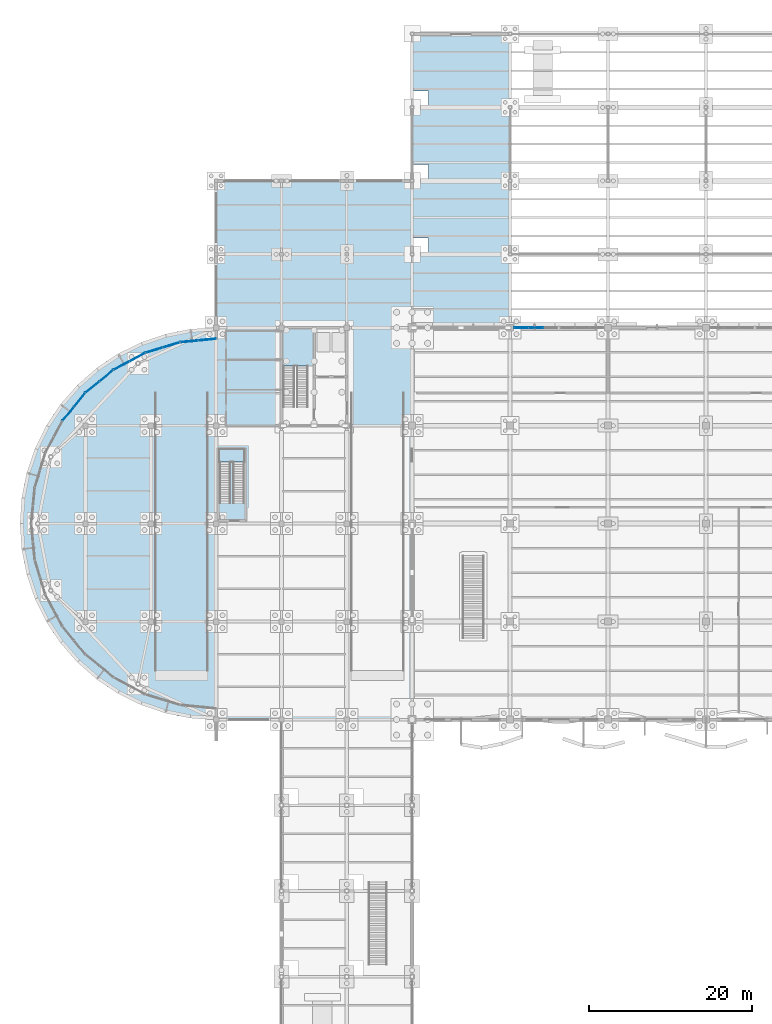
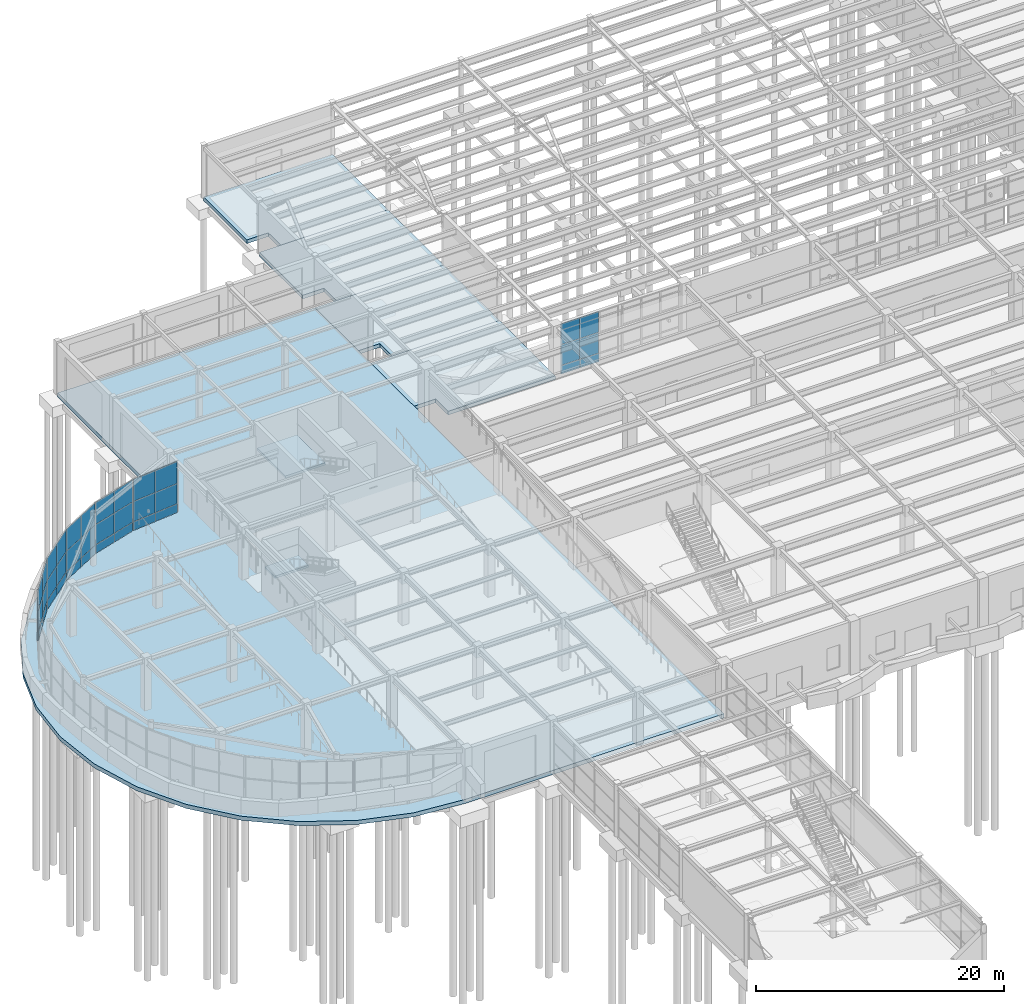
# One storey, part 53 of 85: 36 plates, 7 slabs, 8 elements without a shape of their own.
"""IFC4 building model written with IfcOpenShell, lengths in metres."""

from ifc_helpers import new_model, si_unit, direction, frame, origin, origin_2d, place, context, subcontext, project, spatial, polyline, rectangle, outline, extrude, material, layer, layer_set, type_object, element, aggregate, save


model = new_model("IFC4")

# Units and contexts
model_context = context("Model", 3, precision=1e-05, world=origin(), true_north=direction((0.0, 1.0)))
body_context = subcontext(model_context, "Body", "Model", "MODEL_VIEW")
ifc_project = project(units=[si_unit("LENGTHUNIT", "METRE"), si_unit("AREAUNIT", "SQUARE_METRE"), si_unit("VOLUMEUNIT", "CUBIC_METRE"), si_unit("PLANEANGLEUNIT", "RADIAN"), si_unit("MASSUNIT", "GRAM", prefix="KILO")], contexts=[model_context])

# Site, building, storey
site_placement = place(None, origin())
site = spatial("IfcSite", under=ifc_project, at=site_placement, CompositionType="ELEMENT")
building_placement = place(site_placement, origin())
building = spatial("IfcBuilding", under=site, at=building_placement, Name="Keelwater Ferry Terminal", CompositionType="ELEMENT")
storey_placement = place(building_placement, origin())
storey = spatial("IfcBuildingStorey", under=building, at=storey_placement, Name="L00", CompositionType="ELEMENT", Elevation=0.0)

# Curtain wall, plates
ifc_material_1 = material(Name="Thermally broken unitised aluminium and triple glass", Category="aluminium")
ifc_layer_1 = layer(ifc_material_1, 0.179931640625)
ifc_layer_set_1 = layer_set([ifc_layer_1], Name="Thermally broken unitised aluminium and triple glass")
curtain_wall_type_1 = type_object("IfcCurtainWallType", Name="CW-05 Unitised Curtain Wall 5305x4950", PredefinedType="USERDEFINED", material=ifc_layer_set_1)
curtain_wall_1_placement = place(storey_placement, origin())
curtain_wall_1 = element("IfcCurtainWall", 1, at=curtain_wall_1_placement, inside=storey, type_object=curtain_wall_type_1, Name="Unitised Curtain Wall CW-L00-025", ObjectType="UNITISED CURTAIN WALL", PredefinedType="USERDEFINED")
ifc_material_2 = material(Name="Insulated aluminium spandrel", Category="aluminium")
ifc_layer_2 = layer(ifc_material_2, 0.080078125)
ifc_layer_set_2 = layer_set([ifc_layer_2], Name="Insulated aluminium spandrel")
plate_type_1 = type_object("IfcPlateType", Name="CWP-S1 Insulated Spandrel Panel 80", PredefinedType="CURTAIN_PANEL", material=ifc_layer_set_2)
plate_1_placement = place(storey_placement, frame((61.38427734375, 90.0, 0.0), z_axis=(0.0, 0.0, 1.0), x_axis=(1.0, 0.0, 0.0)))
plate_1 = element("IfcPlate", 2, at=plate_1_placement, type_object=plate_type_1, Name="CW-L00-025 Panel 1.1", PredefinedType="CURTAIN_PANEL", context=body_context, shape_type="SweptSolid", body=[
    extrude(rectangle(XDim=1.768310546875, YDim=0.080078125, at=origin_2d()), origin(), (0.0, 0.0, 1.0), 0.85009765625),
])
plate_2_placement = place(storey_placement, frame((63.152587890625, 90.0, 0.0), z_axis=(0.0, 0.0, 1.0), x_axis=(1.0, 0.0, 0.0)))
plate_2 = element("IfcPlate", 3, at=plate_2_placement, type_object=plate_type_1, Name="CW-L00-025 Panel 2.1", PredefinedType="CURTAIN_PANEL", context=body_context, shape_type="SweptSolid", body=[
    extrude(rectangle(XDim=1.768310546875, YDim=0.080078125, at=origin_2d()), origin(), (0.0, 0.0, 1.0), 0.85009765625),
])

ifc_material_3 = material(Name="Thermally broken unitised aluminium and triple glass", Category="aluminium")
ifc_layer_3 = layer(ifc_material_3, 0.179931640625)
ifc_layer_set_3 = layer_set([ifc_layer_3], Name="Thermally broken unitised aluminium and triple glass")
curtain_wall_type_2 = type_object("IfcCurtainWallType", Name="CW-16 Unitised Curtain Wall 4350x5020", PredefinedType="USERDEFINED", material=ifc_layer_set_3)
curtain_wall_2_placement = place(storey_placement, origin())
curtain_wall_2 = element("IfcCurtainWall", 4, at=curtain_wall_2_placement, inside=storey, type_object=curtain_wall_type_2, Name="Unitised Curtain Wall CW-L00-077", ObjectType="UNITISED CURTAIN WALL", PredefinedType="USERDEFINED")
ifc_material_4 = material(Name="Insulated white cassette spandrel", Category="aluminium")
ifc_layer_4 = layer(ifc_material_4, 0.094970703125)
ifc_layer_set_4 = layer_set([ifc_layer_4], Name="Insulated white cassette spandrel")
plate_type_2 = type_object("IfcPlateType", Name="CWP-S2 Insulated Spandrel Panel 95", PredefinedType="CURTAIN_PANEL", material=ifc_layer_set_4)
plate_3_placement = place(storey_placement, frame((22.872802734375, 88.539306640625, 0.0), z_axis=(0.0, 0.0, 1.0), x_axis=(-0.995170573079, -0.098160737969, 0.0)))
plate_3 = element("IfcPlate", 5, at=plate_3_placement, type_object=plate_type_2, Name="CW-L00-077 Panel 1.1", PredefinedType="CURTAIN_PANEL", context=body_context, shape_type="SweptSolid", body=[
    extrude(rectangle(XDim=2.175048828125, YDim=0.094970703125, at=origin_2d()), origin(), (0.0, 0.0, 1.0), 0.85009765625),
])
plate_4_placement = place(storey_placement, frame((20.708251953125, 88.32568359375, 0.0), z_axis=(0.0, 0.0, 1.0), x_axis=(-0.995170573079, -0.098160737969, 0.0)))
plate_4 = element("IfcPlate", 6, at=plate_4_placement, type_object=plate_type_2, Name="CW-L00-077 Panel 2.1", PredefinedType="CURTAIN_PANEL", context=body_context, shape_type="SweptSolid", body=[
    extrude(rectangle(XDim=2.175048828125, YDim=0.094970703125, at=origin_2d()), origin(), (0.0, 0.0, 1.0), 0.85009765625),
])

curtain_wall_3_placement = place(storey_placement, origin())
curtain_wall_3 = element("IfcCurtainWall", 7, at=curtain_wall_3_placement, inside=storey, type_object=curtain_wall_type_2, Name="Unitised Curtain Wall CW-L00-078", ObjectType="UNITISED CURTAIN WALL", PredefinedType="USERDEFINED")
plate_5_placement = place(storey_placement, frame((18.497314453125, 87.88623046875, 0.0), z_axis=(0.0, 0.0, 1.0), x_axis=(-0.956929623319, -0.290319989003, 0.0)))
plate_5 = element("IfcPlate", 8, at=plate_5_placement, type_object=plate_type_2, Name="CW-L00-078 Panel 1.1", PredefinedType="CURTAIN_PANEL", context=body_context, shape_type="SweptSolid", body=[
    extrude(rectangle(XDim=2.17529296875, YDim=0.094970703125, at=origin_2d()), origin(), (0.0, 0.0, 1.0), 0.85009765625),
])
plate_6_placement = place(storey_placement, frame((16.415771484375, 87.254638671875, 0.0), z_axis=(0.0, 0.0, 1.0), x_axis=(-0.956929623319, -0.290319989003, 0.0)))
plate_6 = element("IfcPlate", 9, at=plate_6_placement, type_object=plate_type_2, Name="CW-L00-078 Panel 2.1", PredefinedType="CURTAIN_PANEL", context=body_context, shape_type="SweptSolid", body=[
    extrude(rectangle(XDim=2.17529296875, YDim=0.094970703125, at=origin_2d()), origin(), (0.0, 0.0, 1.0), 0.85009765625),
])

curtain_wall_4_placement = place(storey_placement, origin())
curtain_wall_4 = element("IfcCurtainWall", 10, at=curtain_wall_4_placement, inside=storey, type_object=curtain_wall_type_2, Name="Unitised Curtain Wall CW-L00-079", ObjectType="UNITISED CURTAIN WALL", PredefinedType="USERDEFINED")
plate_7_placement = place(storey_placement, frame((14.3330078125, 86.392333984375, 0.0), z_axis=(0.0, 0.0, 1.0), x_axis=(-0.881862452632, -0.471506749303, 0.0)))
plate_7 = element("IfcPlate", 11, at=plate_7_placement, type_object=plate_type_2, Name="CW-L00-079 Panel 1.1", PredefinedType="CURTAIN_PANEL", context=body_context, shape_type="SweptSolid", body=[
    extrude(rectangle(XDim=2.175048828125, YDim=0.094970703125, at=origin_2d()), origin(), (0.0, 0.0, 1.0), 0.85009765625),
])
plate_8_placement = place(storey_placement, frame((12.4150390625, 85.36669921875, 0.0), z_axis=(0.0, 0.0, 1.0), x_axis=(-0.881862452632, -0.471506749303, 0.0)))
plate_8 = element("IfcPlate", 12, at=plate_8_placement, type_object=plate_type_2, Name="CW-L00-079 Panel 2.1", PredefinedType="CURTAIN_PANEL", context=body_context, shape_type="SweptSolid", body=[
    extrude(rectangle(XDim=2.175048828125, YDim=0.094970703125, at=origin_2d()), origin(), (0.0, 0.0, 1.0), 0.85009765625),
])

curtain_wall_5_placement = place(storey_placement, origin())
curtain_wall_5 = element("IfcCurtainWall", 13, at=curtain_wall_5_placement, inside=storey, type_object=curtain_wall_type_2, Name="Unitised Curtain Wall CW-L00-080", ObjectType="UNITISED CURTAIN WALL", PredefinedType="USERDEFINED")
plate_9_placement = place(storey_placement, frame((10.54052734375, 84.1142578125, 0.0), z_axis=(0.0, 0.0, 1.0), x_axis=(-0.773024220086, -0.634376508991, 0.0)))
plate_9 = element("IfcPlate", 14, at=plate_9_placement, type_object=plate_type_2, Name="CW-L00-080 Panel 1.1", PredefinedType="CURTAIN_PANEL", context=body_context, shape_type="SweptSolid", body=[
    extrude(rectangle(XDim=2.174560546875, YDim=0.094970703125, at=origin_2d()), origin(), (0.0, 0.0, 1.0), 0.85009765625),
])
plate_10_placement = place(storey_placement, frame((8.859619140625, 82.73486328125, 0.0), z_axis=(0.0, 0.0, 1.0), x_axis=(-0.773024220086, -0.634376508991, 0.0)))
plate_10 = element("IfcPlate", 15, at=plate_10_placement, type_object=plate_type_2, Name="CW-L00-080 Panel 2.1", PredefinedType="CURTAIN_PANEL", context=body_context, shape_type="SweptSolid", body=[
    extrude(rectangle(XDim=2.174560546875, YDim=0.094970703125, at=origin_2d()), origin(), (0.0, 0.0, 1.0), 0.85009765625),
])

curtain_wall_6_placement = place(storey_placement, origin())
curtain_wall_6 = element("IfcCurtainWall", 16, at=curtain_wall_6_placement, inside=storey, type_object=curtain_wall_type_2, Name="Unitised Curtain Wall CW-L00-081", ObjectType="UNITISED CURTAIN WALL", PredefinedType="USERDEFINED")
plate_11_placement = place(storey_placement, frame((7.26513671875, 81.140380859375, 0.0), z_axis=(0.0, 0.0, 1.0), x_axis=(-0.634376508991, -0.773024220086, 0.0)))
plate_11 = element("IfcPlate", 17, at=plate_11_placement, type_object=plate_type_2, Name="CW-L00-081 Panel 1.1", PredefinedType="CURTAIN_PANEL", context=body_context, shape_type="SweptSolid", body=[
    extrude(rectangle(XDim=2.174560546875, YDim=0.094970703125, at=origin_2d()), origin(), (0.0, 0.0, 1.0), 0.85009765625),
])
plate_12_placement = place(storey_placement, frame((5.8857421875, 79.45947265625, 0.0), z_axis=(0.0, 0.0, 1.0), x_axis=(-0.634376508991, -0.773024220086, 0.0)))
plate_12 = element("IfcPlate", 18, at=plate_12_placement, type_object=plate_type_2, Name="CW-L00-081 Panel 2.1", PredefinedType="CURTAIN_PANEL", context=body_context, shape_type="SweptSolid", body=[
    extrude(rectangle(XDim=2.174560546875, YDim=0.094970703125, at=origin_2d()), origin(), (0.0, 0.0, 1.0), 0.85009765625),
])

# Plate
ifc_material_5 = material(Name="Triple low-E laminated glass", Category="glass")
ifc_layer_5 = layer(ifc_material_5, 0.035888671875)
ifc_layer_set_5 = layer_set([ifc_layer_5], Name="Triple low-E laminated glass")
plate_type_3 = type_object("IfcPlateType", Name="CWP-V1 Glazed Vision Panel 36", PredefinedType="CURTAIN_PANEL", material=ifc_layer_set_5)
plate_13_placement = place(storey_placement, frame((61.38427734375, 90.0, 0.85009765625), z_axis=(0.0, 0.0, 1.0), x_axis=(1.0, 0.0, 0.0)))
plate_13 = element("IfcPlate", 19, at=plate_13_placement, type_object=plate_type_3, Name="CW-L00-025 Panel 1.2", PredefinedType="CURTAIN_PANEL", context=body_context, shape_type="SweptSolid", body=[
    extrude(rectangle(XDim=1.768310546875, YDim=0.035888671875, at=origin_2d()), origin(), (0.0, 0.0, 1.0), 2.050048828125),
])

plate_14_placement = place(storey_placement, frame((61.38427734375, 90.0, 2.89990234375), z_axis=(0.0, 0.0, 1.0), x_axis=(1.0, 0.0, 0.0)))
plate_14 = element("IfcPlate", 20, at=plate_14_placement, type_object=plate_type_3, Name="CW-L00-025 Panel 1.3", PredefinedType="CURTAIN_PANEL", context=body_context, shape_type="SweptSolid", body=[
    extrude(rectangle(XDim=1.768310546875, YDim=0.035888671875, at=origin_2d()), origin(), (0.0, 0.0, 1.0), 2.050048828125),
])

plate_15_placement = place(storey_placement, frame((63.152587890625, 90.0, 0.85009765625), z_axis=(0.0, 0.0, 1.0), x_axis=(1.0, 0.0, 0.0)))
plate_15 = element("IfcPlate", 21, at=plate_15_placement, type_object=plate_type_3, Name="CW-L00-025 Panel 2.2", PredefinedType="CURTAIN_PANEL", context=body_context, shape_type="SweptSolid", body=[
    extrude(rectangle(XDim=1.768310546875, YDim=0.035888671875, at=origin_2d()), origin(), (0.0, 0.0, 1.0), 2.050048828125),
])

plate_16_placement = place(storey_placement, frame((63.152587890625, 90.0, 2.89990234375), z_axis=(0.0, 0.0, 1.0), x_axis=(1.0, 0.0, 0.0)))
plate_16 = element("IfcPlate", 22, at=plate_16_placement, type_object=plate_type_3, Name="CW-L00-025 Panel 2.3", PredefinedType="CURTAIN_PANEL", context=body_context, shape_type="SweptSolid", body=[
    extrude(rectangle(XDim=1.768310546875, YDim=0.035888671875, at=origin_2d()), origin(), (0.0, 0.0, 1.0), 2.050048828125),
])

aggregate(curtain_wall_1, [plate_1, plate_13, plate_14, plate_2, plate_15, plate_16])

plate_17_placement = place(storey_placement, frame((22.872802734375, 88.539306640625, 0.85009765625), z_axis=(0.0, 0.0, 1.0), x_axis=(-0.995170573079, -0.098160737969, 0.0)))
plate_17 = element("IfcPlate", 23, at=plate_17_placement, type_object=plate_type_3, Name="CW-L00-077 Panel 1.2", PredefinedType="CURTAIN_PANEL", context=body_context, shape_type="SweptSolid", body=[
    extrude(rectangle(XDim=2.175048828125, YDim=0.035888671875, at=origin_2d()), origin(), (0.0, 0.0, 1.0), 2.0),
])

plate_18_placement = place(storey_placement, frame((22.872802734375, 88.539306640625, 2.85009765625), z_axis=(0.0, 0.0, 1.0), x_axis=(-0.995170573079, -0.098160737969, 0.0)))
plate_18 = element("IfcPlate", 24, at=plate_18_placement, type_object=plate_type_3, Name="CW-L00-077 Panel 1.3", PredefinedType="CURTAIN_PANEL", context=body_context, shape_type="SweptSolid", body=[
    extrude(rectangle(XDim=2.175048828125, YDim=0.035888671875, at=origin_2d()), origin(), (0.0, 0.0, 1.0), 2.169921875),
])

plate_19_placement = place(storey_placement, frame((20.708251953125, 88.32568359375, 0.85009765625), z_axis=(0.0, 0.0, 1.0), x_axis=(-0.995170573079, -0.098160737969, 0.0)))
plate_19 = element("IfcPlate", 25, at=plate_19_placement, type_object=plate_type_3, Name="CW-L00-077 Panel 2.2", PredefinedType="CURTAIN_PANEL", context=body_context, shape_type="SweptSolid", body=[
    extrude(rectangle(XDim=2.175048828125, YDim=0.035888671875, at=origin_2d()), origin(), (0.0, 0.0, 1.0), 2.0),
])

plate_20_placement = place(storey_placement, frame((20.708251953125, 88.32568359375, 2.85009765625), z_axis=(0.0, 0.0, 1.0), x_axis=(-0.995170573079, -0.098160737969, 0.0)))
plate_20 = element("IfcPlate", 26, at=plate_20_placement, type_object=plate_type_3, Name="CW-L00-077 Panel 2.3", PredefinedType="CURTAIN_PANEL", context=body_context, shape_type="SweptSolid", body=[
    extrude(rectangle(XDim=2.175048828125, YDim=0.035888671875, at=origin_2d()), origin(), (0.0, 0.0, 1.0), 2.169921875),
])

aggregate(curtain_wall_2, [plate_3, plate_17, plate_18, plate_4, plate_19, plate_20])

plate_21_placement = place(storey_placement, frame((18.497314453125, 87.88623046875, 0.85009765625), z_axis=(0.0, 0.0, 1.0), x_axis=(-0.956929623319, -0.290319989003, 0.0)))
plate_21 = element("IfcPlate", 27, at=plate_21_placement, type_object=plate_type_3, Name="CW-L00-078 Panel 1.2", PredefinedType="CURTAIN_PANEL", context=body_context, shape_type="SweptSolid", body=[
    extrude(rectangle(XDim=2.17529296875, YDim=0.035888671875, at=origin_2d()), origin(), (0.0, 0.0, 1.0), 2.0),
])

plate_22_placement = place(storey_placement, frame((18.497314453125, 87.88623046875, 2.85009765625), z_axis=(0.0, 0.0, 1.0), x_axis=(-0.956929623319, -0.290319989003, 0.0)))
plate_22 = element("IfcPlate", 28, at=plate_22_placement, type_object=plate_type_3, Name="CW-L00-078 Panel 1.3", PredefinedType="CURTAIN_PANEL", context=body_context, shape_type="SweptSolid", body=[
    extrude(rectangle(XDim=2.17529296875, YDim=0.035888671875, at=origin_2d()), origin(), (0.0, 0.0, 1.0), 2.169921875),
])

plate_23_placement = place(storey_placement, frame((16.415771484375, 87.254638671875, 0.85009765625), z_axis=(0.0, 0.0, 1.0), x_axis=(-0.956929623319, -0.290319989003, 0.0)))
plate_23 = element("IfcPlate", 29, at=plate_23_placement, type_object=plate_type_3, Name="CW-L00-078 Panel 2.2", PredefinedType="CURTAIN_PANEL", context=body_context, shape_type="SweptSolid", body=[
    extrude(rectangle(XDim=2.17529296875, YDim=0.035888671875, at=origin_2d()), origin(), (0.0, 0.0, 1.0), 2.0),
])

plate_24_placement = place(storey_placement, frame((16.415771484375, 87.254638671875, 2.85009765625), z_axis=(0.0, 0.0, 1.0), x_axis=(-0.956929623319, -0.290319989003, 0.0)))
plate_24 = element("IfcPlate", 30, at=plate_24_placement, type_object=plate_type_3, Name="CW-L00-078 Panel 2.3", PredefinedType="CURTAIN_PANEL", context=body_context, shape_type="SweptSolid", body=[
    extrude(rectangle(XDim=2.17529296875, YDim=0.035888671875, at=origin_2d()), origin(), (0.0, 0.0, 1.0), 2.169921875),
])

aggregate(curtain_wall_3, [plate_5, plate_21, plate_22, plate_6, plate_23, plate_24])

plate_25_placement = place(storey_placement, frame((14.3330078125, 86.392333984375, 0.85009765625), z_axis=(0.0, 0.0, 1.0), x_axis=(-0.881862452632, -0.471506749303, 0.0)))
plate_25 = element("IfcPlate", 31, at=plate_25_placement, type_object=plate_type_3, Name="CW-L00-079 Panel 1.2", PredefinedType="CURTAIN_PANEL", context=body_context, shape_type="SweptSolid", body=[
    extrude(rectangle(XDim=2.175048828125, YDim=0.035888671875, at=origin_2d()), origin(), (0.0, 0.0, 1.0), 2.0),
])

plate_26_placement = place(storey_placement, frame((14.3330078125, 86.392333984375, 2.85009765625), z_axis=(0.0, 0.0, 1.0), x_axis=(-0.881862452632, -0.471506749303, 0.0)))
plate_26 = element("IfcPlate", 32, at=plate_26_placement, type_object=plate_type_3, Name="CW-L00-079 Panel 1.3", PredefinedType="CURTAIN_PANEL", context=body_context, shape_type="SweptSolid", body=[
    extrude(rectangle(XDim=2.175048828125, YDim=0.035888671875, at=origin_2d()), origin(), (0.0, 0.0, 1.0), 2.169921875),
])

plate_27_placement = place(storey_placement, frame((12.4150390625, 85.36669921875, 0.85009765625), z_axis=(0.0, 0.0, 1.0), x_axis=(-0.881862452632, -0.471506749303, 0.0)))
plate_27 = element("IfcPlate", 33, at=plate_27_placement, type_object=plate_type_3, Name="CW-L00-079 Panel 2.2", PredefinedType="CURTAIN_PANEL", context=body_context, shape_type="SweptSolid", body=[
    extrude(rectangle(XDim=2.175048828125, YDim=0.035888671875, at=origin_2d()), origin(), (0.0, 0.0, 1.0), 2.0),
])

plate_28_placement = place(storey_placement, frame((12.4150390625, 85.36669921875, 2.85009765625), z_axis=(0.0, 0.0, 1.0), x_axis=(-0.881862452632, -0.471506749303, 0.0)))
plate_28 = element("IfcPlate", 34, at=plate_28_placement, type_object=plate_type_3, Name="CW-L00-079 Panel 2.3", PredefinedType="CURTAIN_PANEL", context=body_context, shape_type="SweptSolid", body=[
    extrude(rectangle(XDim=2.175048828125, YDim=0.035888671875, at=origin_2d()), origin(), (0.0, 0.0, 1.0), 2.169921875),
])

aggregate(curtain_wall_4, [plate_7, plate_25, plate_26, plate_8, plate_27, plate_28])

plate_29_placement = place(storey_placement, frame((10.54052734375, 84.1142578125, 0.85009765625), z_axis=(0.0, 0.0, 1.0), x_axis=(-0.773024220086, -0.634376508991, 0.0)))
plate_29 = element("IfcPlate", 35, at=plate_29_placement, type_object=plate_type_3, Name="CW-L00-080 Panel 1.2", PredefinedType="CURTAIN_PANEL", context=body_context, shape_type="SweptSolid", body=[
    extrude(rectangle(XDim=2.174560546875, YDim=0.035888671875, at=origin_2d()), origin(), (0.0, 0.0, 1.0), 2.0),
])

plate_30_placement = place(storey_placement, frame((10.54052734375, 84.1142578125, 2.85009765625), z_axis=(0.0, 0.0, 1.0), x_axis=(-0.773024220086, -0.634376508991, 0.0)))
plate_30 = element("IfcPlate", 36, at=plate_30_placement, type_object=plate_type_3, Name="CW-L00-080 Panel 1.3", PredefinedType="CURTAIN_PANEL", context=body_context, shape_type="SweptSolid", body=[
    extrude(rectangle(XDim=2.174560546875, YDim=0.035888671875, at=origin_2d()), origin(), (0.0, 0.0, 1.0), 2.169921875),
])

plate_31_placement = place(storey_placement, frame((8.859619140625, 82.73486328125, 0.85009765625), z_axis=(0.0, 0.0, 1.0), x_axis=(-0.773024220086, -0.634376508991, 0.0)))
plate_31 = element("IfcPlate", 37, at=plate_31_placement, type_object=plate_type_3, Name="CW-L00-080 Panel 2.2", PredefinedType="CURTAIN_PANEL", context=body_context, shape_type="SweptSolid", body=[
    extrude(rectangle(XDim=2.174560546875, YDim=0.035888671875, at=origin_2d()), origin(), (0.0, 0.0, 1.0), 2.0),
])

plate_32_placement = place(storey_placement, frame((8.859619140625, 82.73486328125, 2.85009765625), z_axis=(0.0, 0.0, 1.0), x_axis=(-0.773024220086, -0.634376508991, 0.0)))
plate_32 = element("IfcPlate", 38, at=plate_32_placement, type_object=plate_type_3, Name="CW-L00-080 Panel 2.3", PredefinedType="CURTAIN_PANEL", context=body_context, shape_type="SweptSolid", body=[
    extrude(rectangle(XDim=2.174560546875, YDim=0.035888671875, at=origin_2d()), origin(), (0.0, 0.0, 1.0), 2.169921875),
])

aggregate(curtain_wall_5, [plate_9, plate_29, plate_30, plate_10, plate_31, plate_32])

plate_33_placement = place(storey_placement, frame((7.26513671875, 81.140380859375, 0.85009765625), z_axis=(0.0, 0.0, 1.0), x_axis=(-0.634376508991, -0.773024220086, 0.0)))
plate_33 = element("IfcPlate", 39, at=plate_33_placement, type_object=plate_type_3, Name="CW-L00-081 Panel 1.2", PredefinedType="CURTAIN_PANEL", context=body_context, shape_type="SweptSolid", body=[
    extrude(rectangle(XDim=2.174560546875, YDim=0.035888671875, at=origin_2d()), origin(), (0.0, 0.0, 1.0), 2.0),
])

plate_34_placement = place(storey_placement, frame((7.26513671875, 81.140380859375, 2.85009765625), z_axis=(0.0, 0.0, 1.0), x_axis=(-0.634376508991, -0.773024220086, 0.0)))
plate_34 = element("IfcPlate", 40, at=plate_34_placement, type_object=plate_type_3, Name="CW-L00-081 Panel 1.3", PredefinedType="CURTAIN_PANEL", context=body_context, shape_type="SweptSolid", body=[
    extrude(rectangle(XDim=2.174560546875, YDim=0.035888671875, at=origin_2d()), origin(), (0.0, 0.0, 1.0), 2.169921875),
])

plate_35_placement = place(storey_placement, frame((5.8857421875, 79.45947265625, 0.85009765625), z_axis=(0.0, 0.0, 1.0), x_axis=(-0.634376508991, -0.773024220086, 0.0)))
plate_35 = element("IfcPlate", 41, at=plate_35_placement, type_object=plate_type_3, Name="CW-L00-081 Panel 2.2", PredefinedType="CURTAIN_PANEL", context=body_context, shape_type="SweptSolid", body=[
    extrude(rectangle(XDim=2.174560546875, YDim=0.035888671875, at=origin_2d()), origin(), (0.0, 0.0, 1.0), 2.0),
])

plate_36_placement = place(storey_placement, frame((5.8857421875, 79.45947265625, 2.85009765625), z_axis=(0.0, 0.0, 1.0), x_axis=(-0.634376508991, -0.773024220086, 0.0)))
plate_36 = element("IfcPlate", 42, at=plate_36_placement, type_object=plate_type_3, Name="CW-L00-081 Panel 2.3", PredefinedType="CURTAIN_PANEL", context=body_context, shape_type="SweptSolid", body=[
    extrude(rectangle(XDim=2.174560546875, YDim=0.035888671875, at=origin_2d()), origin(), (0.0, 0.0, 1.0), 2.169921875),
])

aggregate(curtain_wall_6, [plate_11, plate_33, plate_34, plate_12, plate_35, plate_36])

# Slabs
ifc_material_6 = material(Name="Concrete C35/45", Category="concrete")
ifc_layer_6 = layer(ifc_material_6, 0.360107421875)
ifc_layer_set_6 = layer_set([ifc_layer_6], Name="Concrete C35/45")
slab_type_1 = type_object("IfcSlabType", Name="SL-B360 Ground Base Slab 360", PredefinedType="BASESLAB", material=ifc_layer_set_6)
slab_1_placement = place(storey_placement, frame((0.0, 0.0, -0.360107421875)))
element("IfcSlab", 43, at=slab_1_placement, inside=storey, type_object=slab_type_1, Name="V6 Cycle Hub Base Bay Slab SL-L00-006", PredefinedType="BASESLAB", context=body_context, shape_type="SweptSolid", body=[
    extrude(outline(polyline([(50.0, 90.0), (60.0, 90.0), (60.0, 99.0), (48.0, 99.0), (48.0, 92.0), (50.0, 92.0), (50.0, 90.0)])), origin(), (0.0, 0.0, 1.0), 0.360107421875),
])
slab_2_placement = place(storey_placement, frame((0.0, 0.0, -0.360107421875)))
element("IfcSlab", 44, at=slab_2_placement, inside=storey, type_object=slab_type_1, Name="V6 Cycle Hub Base Bay Slab SL-L00-007", PredefinedType="BASESLAB", context=body_context, shape_type="SweptSolid", body=[
    extrude(outline(polyline([(50.0, 99.0), (60.0, 99.0), (60.0, 108.0), (48.0, 108.0), (48.0, 101.0), (50.0, 101.0), (50.0, 99.0)])), origin(), (0.0, 0.0, 1.0), 0.360107421875),
])
slab_3_placement = place(storey_placement, frame((0.0, 0.0, -0.360107421875)))
element("IfcSlab", 45, at=slab_3_placement, inside=storey, type_object=slab_type_1, Name="V6 Cycle Hub Base Bay Slab SL-L00-008", PredefinedType="BASESLAB", context=body_context, shape_type="SweptSolid", body=[
    extrude(outline(polyline([(50.0, 108.0), (60.0, 108.0), (60.0, 117.0), (48.0, 117.0), (48.0, 110.0), (50.0, 110.0), (50.0, 108.0)])), origin(), (0.0, 0.0, 1.0), 0.360107421875),
])
slab_4_placement = place(storey_placement, frame((0.0, 0.0, -0.360107421875)))
element("IfcSlab", 46, at=slab_4_placement, inside=storey, type_object=slab_type_1, Name="V6 Cycle Hub Base Bay Slab SL-L00-009", PredefinedType="BASESLAB", context=body_context, shape_type="SweptSolid", body=[
    extrude(outline(polyline([(50.0, 117.0), (60.0, 117.0), (60.0, 126.0), (48.0, 126.0), (48.0, 119.0), (50.0, 119.0), (50.0, 117.0)])), origin(), (0.0, 0.0, 1.0), 0.360107421875),
])
ifc_material_7 = material(Name="Concrete C40/50", Category="concrete")
ifc_layer_7 = layer(ifc_material_7, 0.39990234375)
ifc_layer_set_7 = layer_set([ifc_layer_7], Name="Concrete C40/50")
slab_type_2 = type_object("IfcSlabType", Name="SL-B400 Ground Base Slab 400", PredefinedType="BASESLAB", material=ifc_layer_set_7)
slab_5_placement = place(storey_placement, frame((0.0, 0.0, -0.39990234375)))
element("IfcSlab", 47, at=slab_5_placement, inside=storey, type_object=slab_type_2, Name="V4 Vehicle Marshalling Base Slab SL-L00-001", PredefinedType="BASESLAB", context=body_context, shape_type="SweptSolid", body=[
    extrude(outline(polyline([(48.0, 108.0), (24.0, 108.0), (24.0, 90.0), (19.318115234375, 89.5390625), (14.81591796875, 88.173095703125), (10.666015625, 85.955078125), (7.029052734375, 82.970947265625), (4.044921875, 79.333984375), (1.826904296875, 75.18408203125), (0.4609375, 70.681884765625), (0.0, 66.0), (0.4609375, 61.318115234375), (1.826904296875, 56.81591796875), (4.044921875, 52.666015625), (7.029052734375, 49.029052734375), (10.666015625, 46.044921875), (14.81591796875, 43.826904296875), (19.318115234375, 42.4609375), (24.0, 42.0), (48.0, 42.0), (48.0, 108.0)])), origin(), (0.0, 0.0, 1.0), 0.39990234375),
])

# Stair, slab
ifc_material_8 = material(Name="Concrete C40/50", Category="concrete")
stair_type = type_object("IfcStairType", Name="ST-T01 Half-Turn Stair 1350W 36R", PredefinedType="HALF_TURN_STAIR", material=ifc_material_8)
stair_1_placement = place(storey_placement, origin())
stair_1 = element("IfcStair", 48, at=stair_1_placement, inside=storey, type_object=stair_type, Name="Half-Turn Stair ST-C1-L00", PredefinedType="HALF_TURN_STAIR")
ifc_material_9 = material(Name="Concrete C40/50", Category="concrete")
ifc_layer_8 = layer(ifc_material_9, 0.219970703125)
ifc_layer_set_8 = layer_set([ifc_layer_8], Name="Concrete C40/50")
slab_type_3 = type_object("IfcSlabType", Name="SL-LD220 Stair Landing Slab 220", PredefinedType="LANDING", material=ifc_layer_set_8)
slab_6_placement = place(storey_placement, frame((0.0, 0.0, 2.47998046875)))
slab_6 = element("IfcSlab", 49, at=slab_6_placement, type_object=slab_type_3, Name="ST-C1-L00 landing 1", PredefinedType="LANDING", context=body_context, shape_type="SweptSolid", body=[
    extrude(outline(polyline([(32.14990234375, 85.340087890625), (35.8798828125, 85.340087890625), (35.8798828125, 89.89990234375), (32.14990234375, 89.89990234375), (32.14990234375, 85.340087890625)])), origin(), (0.0, 0.0, 1.0), 0.219970703125),
])
aggregate(stair_1, [slab_6])

stair_2_placement = place(storey_placement, origin())
stair_2 = element("IfcStair", 50, at=stair_2_placement, inside=storey, type_object=stair_type, Name="Half-Turn Stair ST-W6-L00", PredefinedType="HALF_TURN_STAIR")
slab_7_placement = place(storey_placement, frame((0.0, 0.0, 2.47998046875)))
slab_7 = element("IfcSlab", 51, at=slab_7_placement, type_object=slab_type_3, Name="ST-W6-L00 landing 1", PredefinedType="LANDING", context=body_context, shape_type="SweptSolid", body=[
    extrude(outline(polyline([(24.35009765625, 73.5400390625), (27.5, 73.5400390625), (27.5, 75.14990234375), (24.35009765625, 75.14990234375), (24.35009765625, 73.5400390625)])), origin(), (0.0, 0.0, 1.0), 0.219970703125),
])
aggregate(stair_2, [slab_7])

save(model, "model.ifc")
